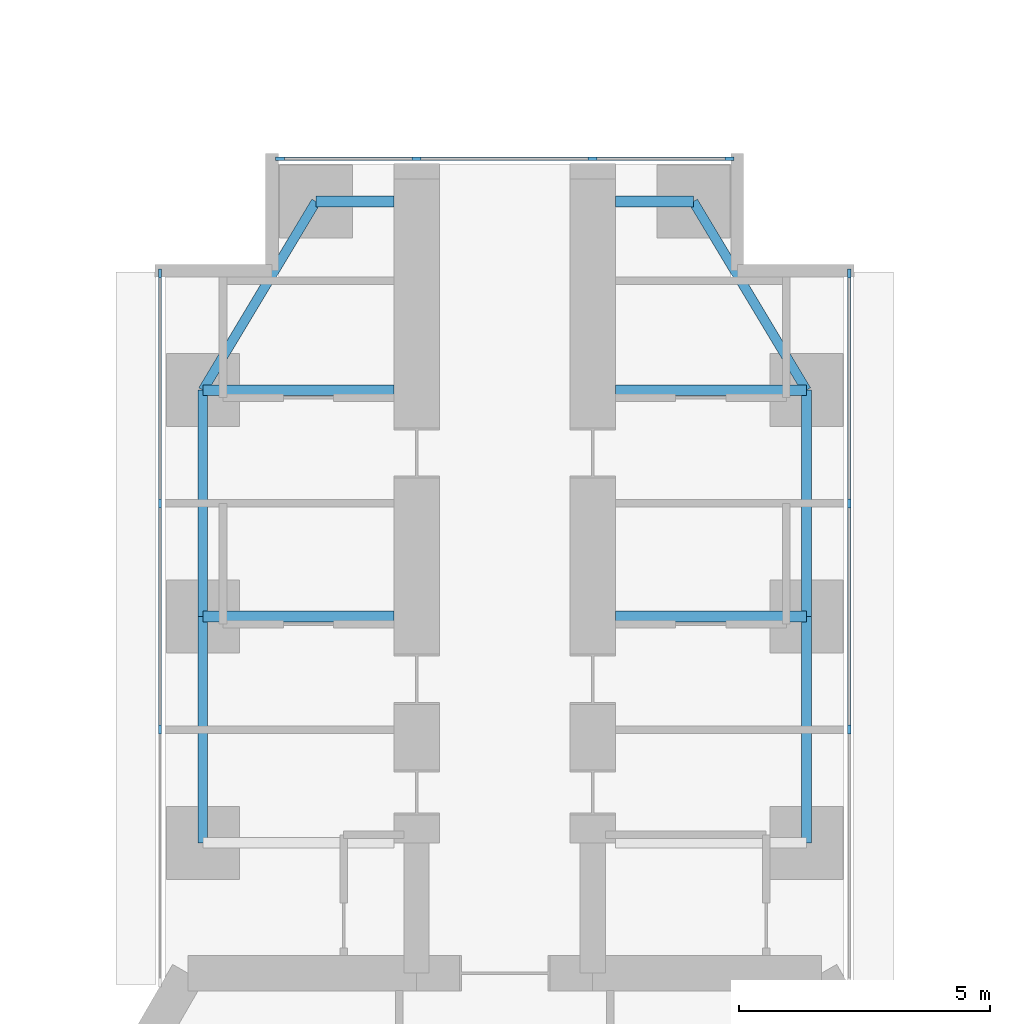
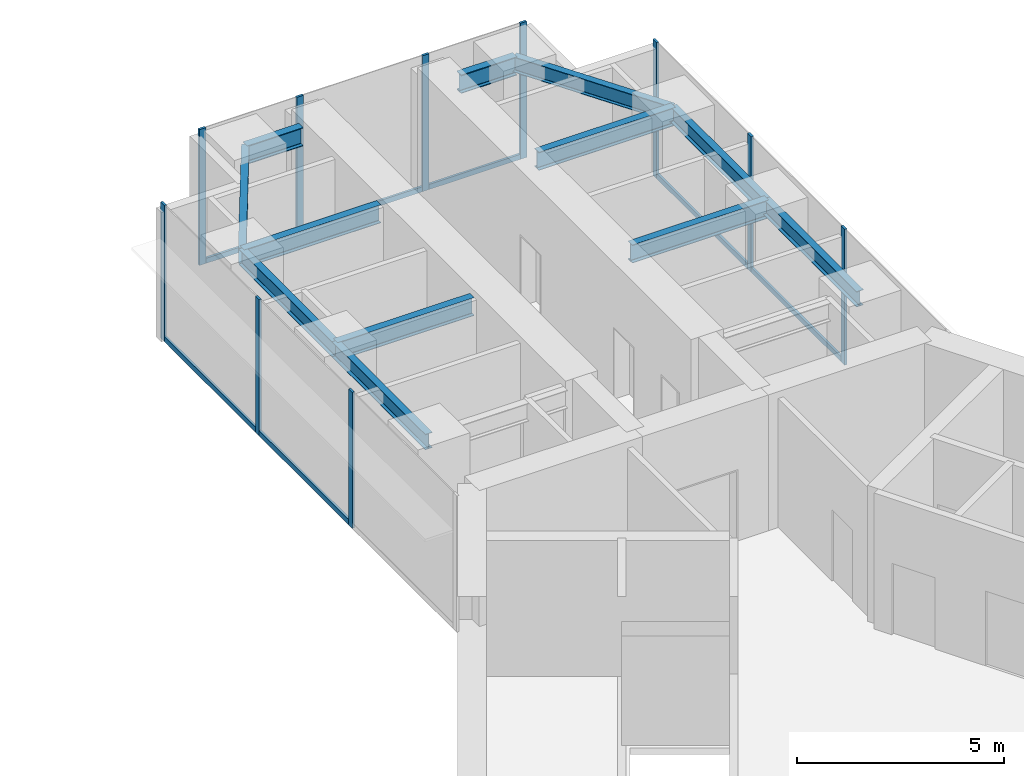
# One storey, part 13 of 24: 17 members, 12 beams, 3 elements without a shape of their own.
"""IFC4 building model written with IfcOpenShell, lengths in metres."""

from ifc_helpers import new_model, si_unit, direction, frame, origin, origin_2d, place, context, subcontext, project, spatial, rectangle, i_section, extrude, material, material_profile, profile_set, type_object, element, aggregate, save


model = new_model("IFC4")

# Units and contexts
model_context = context("Model", 3, precision=1e-05, world=origin(), true_north=direction((0.0, 1.0)))
body_context = subcontext(model_context, "Body", "Model", "MODEL_VIEW")
ifc_project = project(units=[si_unit("LENGTHUNIT", "METRE"), si_unit("AREAUNIT", "SQUARE_METRE"), si_unit("VOLUMEUNIT", "CUBIC_METRE"), si_unit("PLANEANGLEUNIT", "RADIAN"), si_unit("MASSUNIT", "GRAM", prefix="KILO")], contexts=[model_context])

# Site, building, storey
site_placement = place(None, origin())
site = spatial("IfcSite", under=ifc_project, at=site_placement, CompositionType="ELEMENT")
building_placement = place(site_placement, origin())
building = spatial("IfcBuilding", under=site, at=building_placement, Name="Upepo Twin Towers", CompositionType="ELEMENT")
storey_placement = place(building_placement, frame((0.0, 0.0, 60.5)))
storey = spatial("IfcBuildingStorey", under=building, at=storey_placement, Name="L14", CompositionType="ELEMENT", Elevation=60.5)

# Beams
ifc_material_1 = material(Name="Steel S355", Category="steel")
ifc_material_profile_1 = material_profile(ifc_material_1, i_section(OverallWidth=0.1904296875, OverallDepth=0.45703125, WebThickness=0.009033203125, FlangeThickness=0.014404296875, FilletRadius=0.01025390625, at=origin_2d()), Name="UB 457x191x74")
ifc_profile_set_1 = profile_set([ifc_material_profile_1], Name="Steel S355")
beam_type_1 = type_object("IfcBeamType", Name="Beam UB 457x191x74", PredefinedType="BEAM", material=ifc_profile_set_1)
for number, where, z_axis, x_axis, name in (
    (1, (52.5, -4.5, 3.571533203125), (0.0, 1.0, 0.0), (-1.0, 0.0, 0.0), "T2 edge beam AL 13.5-18.0"),
    (2, (52.5, 0.0, 3.571533203125), (0.0, 1.0, 0.0), (-1.0, 0.0, 0.0), "T2 edge beam AL 18.0-22.5"),
):
    element("IfcBeam", number, at=place(storey_placement, frame(where, z_axis=z_axis, x_axis=x_axis)), inside=storey, type_object=beam_type_1, Name=name, PredefinedType="BEAM", context=body_context, shape_type="SweptSolid", body=[
        extrude(i_section(OverallWidth=0.1904296875, OverallDepth=0.45703125, WebThickness=0.009033203125, FlangeThickness=0.014404296875, FilletRadius=0.01025390625, at=origin_2d()), origin(), (0.0, 0.0, 1.0), 4.5),
    ])
beam_1_placement = place(storey_placement, frame((52.5, 4.5, 3.571533203125), z_axis=(0.514495755428, 0.857492925713, 0.0), x_axis=(-0.857492925713, 0.514495755428, 0.0)))
element("IfcBeam", 3, at=beam_1_placement, inside=storey, type_object=beam_type_1, Name="T2 nose edge beam AL", PredefinedType="BEAM", context=body_context, shape_type="SweptSolid", body=[
    extrude(i_section(OverallWidth=0.1904296875, OverallDepth=0.45703125, WebThickness=0.009033203125, FlangeThickness=0.014404296875, FilletRadius=0.01025390625, at=origin_2d()), origin(), (0.0, 0.0, 1.0), 4.373291015625),
])
for number, where, z_axis, x_axis, name in (
    (4, (64.5, -4.5, 3.571533203125), (0.0, 1.0, 0.0), (-1.0, 0.0, 0.0), "T2 edge beam AR 13.5-18.0"),
    (5, (64.5, 0.0, 3.571533203125), (0.0, 1.0, 0.0), (-1.0, 0.0, 0.0), "T2 edge beam AR 18.0-22.5"),
):
    element("IfcBeam", number, at=place(storey_placement, frame(where, z_axis=z_axis, x_axis=x_axis)), inside=storey, type_object=beam_type_1, Name=name, PredefinedType="BEAM", context=body_context, shape_type="SweptSolid", body=[
        extrude(i_section(OverallWidth=0.1904296875, OverallDepth=0.45703125, WebThickness=0.009033203125, FlangeThickness=0.014404296875, FilletRadius=0.01025390625, at=origin_2d()), origin(), (0.0, 0.0, 1.0), 4.5),
    ])
beam_2_placement = place(storey_placement, frame((64.5, 4.5, 3.571533203125), z_axis=(-0.514495755428, 0.857492925713, 0.0), x_axis=(-0.857492925713, -0.514495755428, 0.0)))
element("IfcBeam", 6, at=beam_2_placement, inside=storey, type_object=beam_type_1, Name="T2 nose edge beam AR", PredefinedType="BEAM", context=body_context, shape_type="SweptSolid", body=[
    extrude(i_section(OverallWidth=0.1904296875, OverallDepth=0.45703125, WebThickness=0.009033203125, FlangeThickness=0.014404296875, FilletRadius=0.01025390625, at=origin_2d()), origin(), (0.0, 0.0, 1.0), 4.373291015625),
])
ifc_material_2 = material(Name="Steel S355", Category="steel")
ifc_material_profile_2 = material_profile(ifc_material_2, i_section(OverallWidth=0.2119140625, OverallDepth=0.54443359375, WebThickness=0.0126953125, FlangeThickness=0.021240234375, FilletRadius=0.0126953125, at=origin_2d()), Name="UB 533x210x122")
ifc_profile_set_2 = profile_set([ifc_material_profile_2], Name="Steel S355")
beam_type_2 = type_object("IfcBeamType", Name="Beam UB 533x210x122", PredefinedType="BEAM", material=ifc_profile_set_2)
for number, where, z_axis, x_axis, name in (
    (7, (54.75, 8.25, 3.52783203125), (1.0, 0.0, 0.0), (0.0, 1.0, 0.0), "T2 nose beam AL"),
    (8, (62.25, 8.25, 3.52783203125), (-1.0, 0.0, 0.0), (0.0, -1.0, 0.0), "T2 nose beam AR"),
):
    element("IfcBeam", number, at=place(storey_placement, frame(where, z_axis=z_axis, x_axis=x_axis)), inside=storey, type_object=beam_type_2, Name=name, PredefinedType="BEAM", context=body_context, shape_type="SweptSolid", body=[
        extrude(i_section(OverallWidth=0.2119140625, OverallDepth=0.54443359375, WebThickness=0.0126953125, FlangeThickness=0.021240234375, FilletRadius=0.0126953125, at=origin_2d()), origin(), (0.0, 0.0, 1.0), 1.550048828125),
    ])
ifc_material_3 = material(Name="Steel S355", Category="steel")
ifc_material_profile_3 = material_profile(ifc_material_3, i_section(OverallWidth=0.209228515625, OverallDepth=0.533203125, WebThickness=0.010009765625, FlangeThickness=0.015625, FilletRadius=0.0126953125, at=origin_2d()), Name="UB 533x210x92")
ifc_profile_set_3 = profile_set([ifc_material_profile_3], Name="Steel S355")
beam_type_3 = type_object("IfcBeamType", Name="Beam UB 533x210x92", PredefinedType="BEAM", material=ifc_profile_set_3)
for number, where, z_axis, x_axis, name in (
    (9, (52.5, 0.0, 3.533447265625), (1.0, 0.0, 0.0), (0.0, 1.0, 0.0), "T2 girder AL at 18.0"),
    (10, (52.5, 4.5, 3.533447265625), (1.0, 0.0, 0.0), (0.0, 1.0, 0.0), "T2 girder AL at 22.5"),
    (11, (64.5, 0.0, 3.533447265625), (-1.0, 0.0, 0.0), (0.0, -1.0, 0.0), "T2 girder AR at 18.0"),
    (12, (64.5, 4.5, 3.533447265625), (-1.0, 0.0, 0.0), (0.0, -1.0, 0.0), "T2 girder AR at 22.5"),
):
    element("IfcBeam", number, at=place(storey_placement, frame(where, z_axis=z_axis, x_axis=x_axis)), inside=storey, type_object=beam_type_3, Name=name, PredefinedType="BEAM", context=body_context, shape_type="SweptSolid", body=[
        extrude(i_section(OverallWidth=0.209228515625, OverallDepth=0.533203125, WebThickness=0.010009765625, FlangeThickness=0.015625, FilletRadius=0.0126953125, at=origin_2d()), origin(), (0.0, 0.0, 1.0), 3.800048828125),
    ])

# Curtain wall, members
ifc_material_4 = material(Name="Aluminium and fritted glass", Category="aluminium")
curtain_wall_type = type_object("IfcCurtainWallType", Name="Tower curtain wall TW1, fritted glass", PredefinedType="NOTDEFINED", material=ifc_material_4)
curtain_wall_1_placement = place(storey_placement, origin())
curtain_wall_1 = element("IfcCurtainWall", 13, at=curtain_wall_1_placement, inside=storey, type_object=curtain_wall_type, Name="T2 L14 wing A flank L curtain wall", PredefinedType="NOTDEFINED")
ifc_material_5 = material(Name="Aluminium mullion", Category="aluminium")
ifc_material_profile_4 = material_profile(ifc_material_5, rectangle(XDim=0.06494140625, YDim=0.179931640625, at=origin_2d()), Name="MULLION 65x180")
ifc_profile_set_4 = profile_set([ifc_material_profile_4], Name="Aluminium mullion")
member_type_1 = type_object("IfcMemberType", Name="Mullion 65x180 TW1", PredefinedType="MULLION", material=ifc_profile_set_4)
member_1_placement = place(storey_placement, frame((51.64990234375, -2.25, 0.0), z_axis=(0.0, 0.0, 1.0), x_axis=(-1.0, 0.0, 0.0)))
member_1 = element("IfcMember", 14, at=member_1_placement, type_object=member_type_1, Name="T2 L14 wing A flank L curtain wall mullion 2", PredefinedType="MULLION", context=body_context, shape_type="SweptSolid", body=[
    extrude(rectangle(XDim=0.06494140625, YDim=0.179931640625, at=origin_2d()), origin(), (0.0, 0.0, 1.0), 4.0),
])
member_2_placement = place(storey_placement, frame((51.64990234375, 2.25, 0.0), z_axis=(0.0, 0.0, 1.0), x_axis=(-1.0, 0.0, 0.0)))
member_2 = element("IfcMember", 15, at=member_2_placement, type_object=member_type_1, Name="T2 L14 wing A flank L curtain wall mullion 3", PredefinedType="MULLION", context=body_context, shape_type="SweptSolid", body=[
    extrude(rectangle(XDim=0.06494140625, YDim=0.179931640625, at=origin_2d()), origin(), (0.0, 0.0, 1.0), 4.0),
])
member_3_placement = place(storey_placement, frame((51.64990234375, 6.8173828125, 0.0), z_axis=(0.0, 0.0, 1.0), x_axis=(-1.0, 0.0, 0.0)))
member_3 = element("IfcMember", 16, at=member_3_placement, type_object=member_type_1, Name="T2 L14 wing A flank L curtain wall mullion 4", PredefinedType="MULLION", context=body_context, shape_type="SweptSolid", body=[
    extrude(rectangle(XDim=0.06494140625, YDim=0.179931640625, at=origin_2d()), origin(), (0.0, 0.0, 1.0), 4.0),
])

curtain_wall_2_placement = place(storey_placement, origin())
curtain_wall_2 = element("IfcCurtainWall", 17, at=curtain_wall_2_placement, inside=storey, type_object=curtain_wall_type, Name="T2 L14 wing A flank R curtain wall", PredefinedType="NOTDEFINED")
member_4_placement = place(storey_placement, frame((65.35009765625, 6.8173828125, 0.0), z_axis=(0.0, 0.0, 1.0), x_axis=(1.0, 0.0, 0.0)))
member_4 = element("IfcMember", 18, at=member_4_placement, type_object=member_type_1, Name="T2 L14 wing A flank R curtain wall mullion 1", PredefinedType="MULLION", context=body_context, shape_type="SweptSolid", body=[
    extrude(rectangle(XDim=0.06494140625, YDim=0.179931640625, at=origin_2d()), origin(), (0.0, 0.0, 1.0), 4.0),
])
member_5_placement = place(storey_placement, frame((65.35009765625, 2.25, 0.0), z_axis=(0.0, 0.0, 1.0), x_axis=(1.0, 0.0, 0.0)))
member_5 = element("IfcMember", 19, at=member_5_placement, type_object=member_type_1, Name="T2 L14 wing A flank R curtain wall mullion 2", PredefinedType="MULLION", context=body_context, shape_type="SweptSolid", body=[
    extrude(rectangle(XDim=0.06494140625, YDim=0.179931640625, at=origin_2d()), origin(), (0.0, 0.0, 1.0), 4.0),
])
member_6_placement = place(storey_placement, frame((65.35009765625, -2.25, 0.0), z_axis=(0.0, 0.0, 1.0), x_axis=(1.0, 0.0, 0.0)))
member_6 = element("IfcMember", 20, at=member_6_placement, type_object=member_type_1, Name="T2 L14 wing A flank R curtain wall mullion 3", PredefinedType="MULLION", context=body_context, shape_type="SweptSolid", body=[
    extrude(rectangle(XDim=0.06494140625, YDim=0.179931640625, at=origin_2d()), origin(), (0.0, 0.0, 1.0), 4.0),
])

curtain_wall_3_placement = place(storey_placement, origin())
curtain_wall_3 = element("IfcCurtainWall", 21, at=curtain_wall_3_placement, inside=storey, type_object=curtain_wall_type, Name="T2 L14 wing A nose curtain wall", PredefinedType="NOTDEFINED")
member_7_placement = place(storey_placement, frame((62.967529296875, 9.10009765625, 0.0), z_axis=(0.0, 0.0, 1.0), x_axis=(0.0, -1.0, 0.0)))
member_7 = element("IfcMember", 22, at=member_7_placement, type_object=member_type_1, Name="T2 L14 wing A nose curtain wall mullion 1", PredefinedType="MULLION", context=body_context, shape_type="SweptSolid", body=[
    extrude(rectangle(XDim=0.06494140625, YDim=0.179931640625, at=origin_2d()), origin(), (0.0, 0.0, 1.0), 4.0),
])
member_8_placement = place(storey_placement, frame((60.25, 9.10009765625, 0.0), z_axis=(0.0, 0.0, 1.0), x_axis=(0.0, -1.0, 0.0)))
member_8 = element("IfcMember", 23, at=member_8_placement, type_object=member_type_1, Name="T2 L14 wing A nose curtain wall mullion 2", PredefinedType="MULLION", context=body_context, shape_type="SweptSolid", body=[
    extrude(rectangle(XDim=0.06494140625, YDim=0.179931640625, at=origin_2d()), origin(), (0.0, 0.0, 1.0), 4.0),
])
member_9_placement = place(storey_placement, frame((56.75, 9.10009765625, 0.0), z_axis=(0.0, 0.0, 1.0), x_axis=(0.0, -1.0, 0.0)))
member_9 = element("IfcMember", 24, at=member_9_placement, type_object=member_type_1, Name="T2 L14 wing A nose curtain wall mullion 3", PredefinedType="MULLION", context=body_context, shape_type="SweptSolid", body=[
    extrude(rectangle(XDim=0.06494140625, YDim=0.179931640625, at=origin_2d()), origin(), (0.0, 0.0, 1.0), 4.0),
])
member_10_placement = place(storey_placement, frame((54.032470703125, 9.10009765625, 0.0), z_axis=(0.0, 0.0, 1.0), x_axis=(0.0, -1.0, 0.0)))
member_10 = element("IfcMember", 25, at=member_10_placement, type_object=member_type_1, Name="T2 L14 wing A nose curtain wall mullion 4", PredefinedType="MULLION", context=body_context, shape_type="SweptSolid", body=[
    extrude(rectangle(XDim=0.06494140625, YDim=0.179931640625, at=origin_2d()), origin(), (0.0, 0.0, 1.0), 4.0),
])

# Member
ifc_material_6 = material(Name="Aluminium transom", Category="aluminium")
ifc_material_profile_5 = material_profile(ifc_material_6, rectangle(XDim=0.06494140625, YDim=0.14990234375, at=origin_2d()), Name="TRANSOM 65x150")
ifc_profile_set_5 = profile_set([ifc_material_profile_5], Name="Aluminium transom")
member_type_2 = type_object("IfcMemberType", Name="Transom 65x150 TW1", PredefinedType="USERDEFINED", material=ifc_profile_set_5)
member_11_placement = place(storey_placement, frame((51.64990234375, -2.217529296875, 0.074951171875), z_axis=(0.0, 1.0, 0.0), x_axis=(-1.0, 0.0, 0.0)))
member_11 = element("IfcMember", 26, at=member_11_placement, type_object=member_type_2, Name="T2 L14 wing A flank L curtain wall transom 2", ObjectType="TRANSOM", PredefinedType="USERDEFINED", context=body_context, shape_type="SweptSolid", body=[
    extrude(rectangle(XDim=0.06494140625, YDim=0.14990234375, at=origin_2d()), origin(), (0.0, 0.0, 1.0), 4.43505859375),
])

member_12_placement = place(storey_placement, frame((51.64990234375, 2.282470703125, 0.074951171875), z_axis=(0.0, 1.0, 0.0), x_axis=(-1.0, 0.0, 0.0)))
member_12 = element("IfcMember", 27, at=member_12_placement, type_object=member_type_2, Name="T2 L14 wing A flank L curtain wall transom 3", ObjectType="TRANSOM", PredefinedType="USERDEFINED", context=body_context, shape_type="SweptSolid", body=[
    extrude(rectangle(XDim=0.06494140625, YDim=0.14990234375, at=origin_2d()), origin(), (0.0, 0.0, 1.0), 4.50244140625),
])

aggregate(curtain_wall_1, [member_1, member_2, member_3, member_11, member_12])

member_13_placement = place(storey_placement, frame((65.35009765625, 6.784912109375, 0.074951171875), z_axis=(0.0, -1.0, 0.0), x_axis=(1.0, 0.0, 0.0)))
member_13 = element("IfcMember", 28, at=member_13_placement, type_object=member_type_2, Name="T2 L14 wing A flank R curtain wall transom 1", ObjectType="TRANSOM", PredefinedType="USERDEFINED", context=body_context, shape_type="SweptSolid", body=[
    extrude(rectangle(XDim=0.06494140625, YDim=0.14990234375, at=origin_2d()), origin(), (0.0, 0.0, 1.0), 4.50244140625),
])

member_14_placement = place(storey_placement, frame((65.35009765625, 2.217529296875, 0.074951171875), z_axis=(0.0, -1.0, 0.0), x_axis=(1.0, 0.0, 0.0)))
member_14 = element("IfcMember", 29, at=member_14_placement, type_object=member_type_2, Name="T2 L14 wing A flank R curtain wall transom 2", ObjectType="TRANSOM", PredefinedType="USERDEFINED", context=body_context, shape_type="SweptSolid", body=[
    extrude(rectangle(XDim=0.06494140625, YDim=0.14990234375, at=origin_2d()), origin(), (0.0, 0.0, 1.0), 4.43505859375),
])

aggregate(curtain_wall_2, [member_4, member_5, member_6, member_13, member_14])

member_15_placement = place(storey_placement, frame((62.93505859375, 9.10009765625, 0.074951171875), z_axis=(-1.0, 0.0, 0.0), x_axis=(0.0, -1.0, 0.0)))
member_15 = element("IfcMember", 30, at=member_15_placement, type_object=member_type_2, Name="T2 L14 wing A nose curtain wall transom 1", ObjectType="TRANSOM", PredefinedType="USERDEFINED", context=body_context, shape_type="SweptSolid", body=[
    extrude(rectangle(XDim=0.06494140625, YDim=0.14990234375, at=origin_2d()), origin(), (0.0, 0.0, 1.0), 2.652587890625),
])

member_16_placement = place(storey_placement, frame((60.217529296875, 9.10009765625, 0.074951171875), z_axis=(-1.0, 0.0, 0.0), x_axis=(0.0, -1.0, 0.0)))
member_16 = element("IfcMember", 31, at=member_16_placement, type_object=member_type_2, Name="T2 L14 wing A nose curtain wall transom 2", ObjectType="TRANSOM", PredefinedType="USERDEFINED", context=body_context, shape_type="SweptSolid", body=[
    extrude(rectangle(XDim=0.06494140625, YDim=0.14990234375, at=origin_2d()), origin(), (0.0, 0.0, 1.0), 3.43505859375),
])

member_17_placement = place(storey_placement, frame((56.717529296875, 9.10009765625, 0.074951171875), z_axis=(-1.0, 0.0, 0.0), x_axis=(0.0, -1.0, 0.0)))
member_17 = element("IfcMember", 32, at=member_17_placement, type_object=member_type_2, Name="T2 L14 wing A nose curtain wall transom 3", ObjectType="TRANSOM", PredefinedType="USERDEFINED", context=body_context, shape_type="SweptSolid", body=[
    extrude(rectangle(XDim=0.06494140625, YDim=0.14990234375, at=origin_2d()), origin(), (0.0, 0.0, 1.0), 2.652587890625),
])

aggregate(curtain_wall_3, [member_7, member_8, member_9, member_10, member_15, member_16, member_17])

save(model, "model.ifc")
